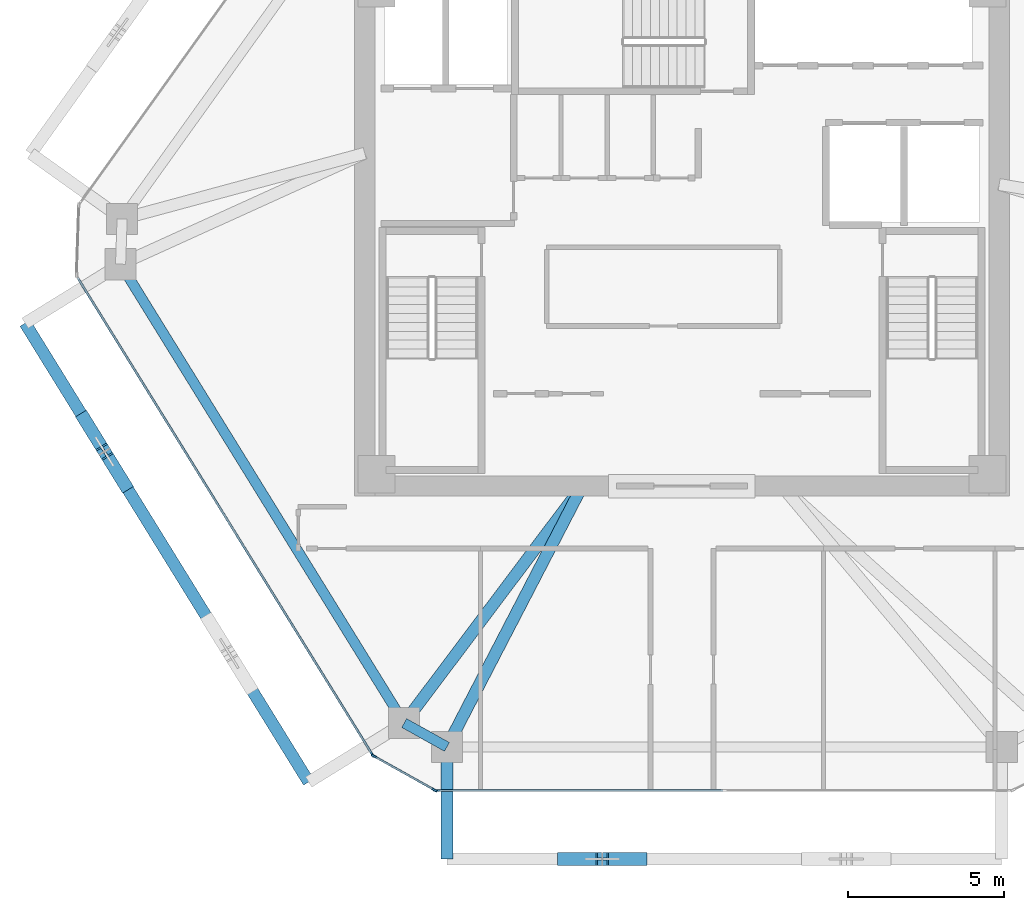
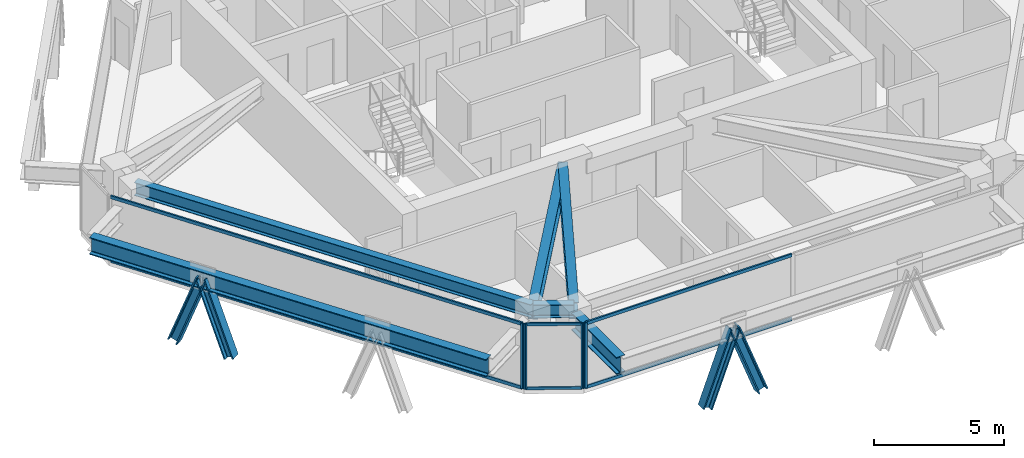
# One storey, part 2 of 14: 14 members, 6 beams, 3 elements without a shape of their own.
"""IFC4 building model written with IfcOpenShell, lengths in metres."""

from ifc_helpers import new_model, si_unit, direction, frame, origin, origin_2d, place, context, subcontext, project, spatial, rectangle, i_section, extrude, source, transform, mapped, material, layer, layer_set, material_profile, profile_set, type_object, type_shapes, element, aggregate, save


model = new_model("IFC4")

# Units and contexts
model_context = context("Model", 3, precision=1e-05, world=origin(), true_north=direction((0.0, 1.0)))
body_context = subcontext(model_context, "Body", "Model", "MODEL_VIEW")
ifc_project = project(units=[si_unit("LENGTHUNIT", "METRE"), si_unit("AREAUNIT", "SQUARE_METRE"), si_unit("VOLUMEUNIT", "CUBIC_METRE"), si_unit("PLANEANGLEUNIT", "RADIAN"), si_unit("MASSUNIT", "GRAM", prefix="KILO")], contexts=[model_context])

# Site, building, storey
site_placement = place(None, origin())
site = spatial("IfcSite", under=ifc_project, at=site_placement, CompositionType="ELEMENT")
building_placement = place(site_placement, origin())
building = spatial("IfcBuilding", under=site, at=building_placement, Name="Durnholm Broadcast Tower", CompositionType="ELEMENT")
storey_placement = place(building_placement, frame((0.0, 0.0, 180.39990234375)))
storey = spatial("IfcBuildingStorey", under=building, at=storey_placement, Name="L49", CompositionType="ELEMENT", Elevation=180.39990234375)

# Beams
ifc_material_1 = material(Name="Steel ASTM A992 Grade 50", Category="steel")
ifc_material_profile_1 = material_profile(ifc_material_1, i_section(OverallWidth=0.385009765625, OverallDepth=0.802978515625, WebThickness=0.023681640625, FlangeThickness=0.0419921875, FilletRadius=0.032958984375, at=origin_2d()), Name="W30X261")
ifc_profile_set_1 = profile_set([ifc_material_profile_1], Name="Steel ASTM A992 Grade 50")
beam_type_1 = type_object("IfcBeamType", Name="BM-EXO-TIE", PredefinedType="USERDEFINED", material=ifc_profile_set_1)
shared_shape_1 = source(origin(), body_context, "Body", "SweptSolid", [
    extrude(i_section(OverallWidth=0.385009765625, OverallDepth=0.802978515625, WebThickness=0.023681640625, FlangeThickness=0.0419921875, FilletRadius=0.032958984375, at=origin_2d()), origin(), (0.0, 0.0, 1.0), 3.4560546875),
])
beam_1_placement = place(storey_placement, frame((-7.53955078125, -16.68603515625, 2.30859375), z_axis=(0.0, -1.0, 0.0), x_axis=(1.0, 0.0, 0.0)))
element("IfcBeam", 1, at=beam_1_placement, inside=storey, type_object=beam_type_1, Name="L49 exoskeleton stand-off tie bracket F1.1", ObjectType="GIRDER", PredefinedType="USERDEFINED", context=body_context, shape_type="MappedRepresentation", body=[
    mapped(shared_shape_1, transform((0.0, 0.0, 0.0), x_axis=(1.0, 0.0, 0.0), y_axis=(0.0, 1.0, 0.0), z_axis=(0.0, 0.0, 1.0), scale=1.0)),
])
ifc_material_profile_2 = material_profile(ifc_material_1, i_section(OverallWidth=0.3251953125, OverallDepth=0.6162109375, WebThickness=0.013916015625, FlangeThickness=0.021484375, FilletRadius=0.02783203125, at=origin_2d()), Name="W24X117")
ifc_profile_set_2 = profile_set([ifc_material_profile_2], Name="Steel ASTM A992 Grade 50")
beam_type_2 = type_object("IfcBeamType", Name="STL-SP-W24X117", PredefinedType="SPANDREL", material=ifc_profile_set_2)
shared_shape_2 = source(origin(), body_context, "Body", "SweptSolid", [
    extrude(i_section(OverallWidth=0.3251953125, OverallDepth=0.6162109375, WebThickness=0.013916015625, FlangeThickness=0.021484375, FilletRadius=0.02783203125, at=origin_2d()), origin(), (0.0, 0.0, 1.0), 17.3037109375),
])
beam_2_placement = place(storey_placement, frame((-8.91259765625, -15.7763671875, 2.737060546875), z_axis=(-0.525695324718, 0.850672925142, 0.0), x_axis=(-0.850672925142, -0.525695324718, 0.0)))
element("IfcBeam", 2, at=beam_2_placement, inside=storey, type_object=beam_type_2, Name="L49 perimeter spandrel girder 01", PredefinedType="SPANDREL", context=body_context, shape_type="MappedRepresentation", body=[
    mapped(shared_shape_2, transform((0.0, 0.0, 0.0), x_axis=(1.0, 0.0, 0.0), y_axis=(0.0, 1.0, 0.0), z_axis=(0.0, 0.0, 1.0), scale=1.0)),
])
shared_shape_3 = source(origin(), body_context, "Body", "SweptSolid", [
    extrude(i_section(OverallWidth=0.3251953125, OverallDepth=0.6162109375, WebThickness=0.013916015625, FlangeThickness=0.021484375, FilletRadius=0.02783203125, at=origin_2d()), origin(), (0.0, 0.0, 1.0), 1.572021484375),
])
type_shapes(beam_type_2, [shared_shape_2, shared_shape_3])
beam_3_placement = place(storey_placement, frame((-7.53955078125, -16.5419921875, 2.737060546875), z_axis=(-0.873394362663, 0.487013641769, 0.0), x_axis=(-0.487013641769, -0.873394362663, 0.0)))
element("IfcBeam", 3, at=beam_3_placement, inside=storey, type_object=beam_type_2, Name="L49 perimeter spandrel girder 12", PredefinedType="SPANDREL", context=body_context, shape_type="MappedRepresentation", body=[
    mapped(shared_shape_3, transform((0.0, 0.0, 0.0), x_axis=(1.0, 0.0, 0.0), y_axis=(0.0, 1.0, 0.0), z_axis=(0.0, 0.0, 1.0), scale=1.0)),
])
shared_shape_4 = source(origin(), body_context, "Body", "SweptSolid", [
    extrude(i_section(OverallWidth=0.385009765625, OverallDepth=0.802978515625, WebThickness=0.023681640625, FlangeThickness=0.0419921875, FilletRadius=0.032958984375, at=origin_2d()), origin(), (0.0, 0.0, 1.0), 17.303466796875),
])
type_shapes(beam_type_1, [shared_shape_1, shared_shape_4])
beam_4_placement = place(storey_placement, frame((-21.071533203125, -2.94921875, 2.30859375), z_axis=(0.525701634347, -0.850669025911, 0.0), x_axis=(0.850669025911, 0.525701634347, 0.0)))
element("IfcBeam", 4, at=beam_4_placement, inside=storey, type_object=beam_type_1, Name="L49 exoskeleton collector spandrel F6", PredefinedType="SPANDREL", context=body_context, shape_type="MappedRepresentation", body=[
    mapped(shared_shape_4, transform((0.0, 0.0, 0.0), x_axis=(1.0, 0.0, 0.0), y_axis=(0.0, 1.0, 0.0), z_axis=(0.0, 0.0, 1.0), scale=1.0)),
])
ifc_material_profile_3 = material_profile(ifc_material_1, i_section(OverallWidth=0.380615234375, OverallDepth=0.773193359375, WebThickness=0.0166015625, FlangeThickness=0.027099609375, FilletRadius=0.032958984375, at=origin_2d()), Name="W30X173")
ifc_profile_set_3 = profile_set([ifc_material_profile_3], Name="Steel ASTM A992 Grade 50")
beam_type_3 = type_object("IfcBeamType", Name="STL-GR-W30X173", PredefinedType="USERDEFINED", material=ifc_profile_set_3)
shared_shape_5 = source(origin(), body_context, "Body", "SweptSolid", [
    extrude(i_section(OverallWidth=0.380615234375, OverallDepth=0.773193359375, WebThickness=0.0166015625, FlangeThickness=0.027099609375, FilletRadius=0.032958984375, at=origin_2d()), origin(), (0.0, 0.0, 1.0), 9.508544921875),
])
beam_5_placement = place(storey_placement, frame((-3.199951171875, -8.175048828125, 2.658447265625), z_axis=(-0.600784359039, -0.799411129479, 0.0), x_axis=(0.799411129479, -0.600784359039, 0.0)))
element("IfcBeam", 5, at=beam_5_placement, inside=storey, type_object=beam_type_3, Name="L49 radial primary floor girder 01", ObjectType="GIRDER", PredefinedType="USERDEFINED", context=body_context, shape_type="MappedRepresentation", body=[
    mapped(shared_shape_5, transform((0.0, 0.0, 0.0), x_axis=(1.0, 0.0, 0.0), y_axis=(0.0, 1.0, 0.0), z_axis=(0.0, 0.0, 1.0), scale=1.0)),
])
shared_shape_6 = source(origin(), body_context, "Body", "SweptSolid", [
    extrude(i_section(OverallWidth=0.380615234375, OverallDepth=0.773193359375, WebThickness=0.0166015625, FlangeThickness=0.027099609375, FilletRadius=0.032958984375, at=origin_2d()), origin(), (0.0, 0.0, 1.0), 9.42529296875),
])
type_shapes(beam_type_3, [shared_shape_5, shared_shape_6])
beam_6_placement = place(storey_placement, frame((-3.199951171875, -8.175048828125, 2.658447265625), z_axis=(-0.460416206992, -0.887703169048, 0.0), x_axis=(0.887703169048, -0.460416206992, 0.0)))
element("IfcBeam", 6, at=beam_6_placement, inside=storey, type_object=beam_type_3, Name="L49 radial primary floor girder 12", ObjectType="GIRDER", PredefinedType="USERDEFINED", context=body_context, shape_type="MappedRepresentation", body=[
    mapped(shared_shape_6, transform((0.0, 0.0, 0.0), x_axis=(1.0, 0.0, 0.0), y_axis=(0.0, 1.0, 0.0), z_axis=(0.0, 0.0, 1.0), scale=1.0)),
])

# Members
ifc_material_2 = material(Name="Steel ASTM A913 Grade 65", Category="steel")
ifc_material_profile_4 = material_profile(ifc_material_2, i_section(OverallWidth=0.412109375, OverallDepth=0.434814453125, WebThickness=0.035888671875, FlangeThickness=0.057373046875, FilletRadius=0.030517578125, at=origin_2d()), Name="W14X311")
ifc_profile_set_4 = profile_set([ifc_material_profile_4], Name="Steel ASTM A913 Grade 65")
member_type_1 = type_object("IfcMemberType", Name="STL-DG-W14X311", PredefinedType="BRACE", material=ifc_profile_set_4)
shared_shape_7 = source(origin(), body_context, "Body", "SweptSolid", [
    extrude(i_section(OverallWidth=0.412109375, OverallDepth=0.434814453125, WebThickness=0.035888671875, FlangeThickness=0.057373046875, FilletRadius=0.030517578125, at=origin_2d()), origin(), (0.0, 0.0, 1.0), 3.523193359375),
])
type_shapes(member_type_1, [shared_shape_7])
for number, where, z_axis, x_axis, name in (
    (7, (-3.790283203125, -20.14208984375, -0.991455078125), (0.350158790071, 0.0, 0.936690355313), (0.0, 1.0, 0.0), "L49 stand-off diagrid brace F1.D1.1"),
    (8, (-1.32275390625, -20.14208984375, -0.991455078125), (-0.350219588454, 0.0, 0.936667625075), (0.0, -1.0, 0.0), "L49 stand-off diagrid brace F1.D1.2"),
    (9, (-19.173095703125, -6.021240234375, -0.991455078125), (0.18411903749, -0.297902800967, 0.936671821509), (0.850644447398, 0.525741404219, 0.0), "L49 stand-off diagrid brace F6.D1.1"),
    (10, (-17.8759765625, -8.120361328125, -0.991455078125), (-0.184052089489, 0.297906601172, 0.936683770188), (-0.850732935913, -0.525598203719, 0.0), "L49 stand-off diagrid brace F6.D1.2"),
):
    element("IfcMember", number, at=place(storey_placement, frame(where, z_axis=z_axis, x_axis=x_axis)), inside=storey, type_object=member_type_1, Name=name, PredefinedType="BRACE", context=body_context, shape_type="MappedRepresentation", body=[
        mapped(shared_shape_7, transform((0.0, 0.0, 0.0), x_axis=(1.0, 0.0, 0.0), y_axis=(0.0, 1.0, 0.0), z_axis=(0.0, 0.0, 1.0), scale=1.0)),
    ])

# Curtain wall, members
ifc_material_3 = material(Name="Aluminium and Solar Control IGU", Category="aluminium")
ifc_layer_1 = layer(ifc_material_3, 0.1650390625)
ifc_layer_set_1 = layer_set([ifc_layer_1], Name="Aluminium and Solar Control IGU")
curtain_wall_type_1 = type_object("IfcCurtainWallType", Name="CW-SYS-5", PredefinedType="NOTDEFINED", material=ifc_layer_set_1)
curtain_wall_1_placement = place(storey_placement, origin())
curtain_wall_1 = element("IfcCurtainWall", 11, at=curtain_wall_1_placement, inside=storey, type_object=curtain_wall_type_1, Name="L49 curtain wall CW-CORNER CW-L49-CRN-11", PredefinedType="NOTDEFINED")
ifc_material_4 = material(Name="Aluminium 6063-T6", Category="aluminium")
ifc_material_profile_5 = material_profile(ifc_material_4, rectangle(XDim=0.06494140625, YDim=0.1650390625, at=origin_2d()), Name="CWM65X165")
ifc_profile_set_5 = profile_set([ifc_material_profile_5], Name="Aluminium 6063-T6")
member_type_2 = type_object("IfcMemberType", Name="CW-SYS-5-MUL", PredefinedType="MULLION", material=ifc_profile_set_5)
shared_shape_8 = source(origin(), body_context, "Body", "SweptSolid", [
    extrude(rectangle(XDim=0.06494140625, YDim=0.1650390625, at=origin_2d()), origin(), (0.0, 0.0, 1.0), 3.06005859375),
])
type_shapes(member_type_2, [shared_shape_8])
member_1_placement = place(storey_placement, frame((-7.931884765625, -17.92626953125, 0.0), z_axis=(0.0, 0.0, 1.0), x_axis=(-0.486986043316, -0.873409751271, 0.0)))
member_1 = element("IfcMember", 12, at=member_1_placement, type_object=member_type_2, Name="CW-CORNER mullion 1", PredefinedType="MULLION", context=body_context, shape_type="MappedRepresentation", body=[
    mapped(shared_shape_8, transform((0.0, 0.0, 0.0), x_axis=(1.0, 0.0, 0.0), y_axis=(0.0, 1.0, 0.0), z_axis=(0.0, 0.0, 1.0), scale=1.0)),
])
member_2_placement = place(storey_placement, frame((-9.884033203125, -16.837646484375, 0.0), z_axis=(0.0, 0.0, 1.0), x_axis=(-0.486986043316, -0.873409751271, 0.0)))
member_2 = element("IfcMember", 13, at=member_2_placement, type_object=member_type_2, Name="CW-CORNER mullion 2", PredefinedType="MULLION", context=body_context, shape_type="MappedRepresentation", body=[
    mapped(shared_shape_8, transform((0.0, 0.0, 0.0), x_axis=(1.0, 0.0, 0.0), y_axis=(0.0, 1.0, 0.0), z_axis=(0.0, 0.0, 1.0), scale=1.0)),
])
ifc_material_profile_6 = material_profile(ifc_material_4, rectangle(XDim=0.06494140625, YDim=0.1298828125, at=origin_2d()), Name="CWT65X130")
ifc_profile_set_6 = profile_set([ifc_material_profile_6], Name="Aluminium 6063-T6")
member_type_3 = type_object("IfcMemberType", Name="CW-SYS-5-TRN", PredefinedType="USERDEFINED", material=ifc_profile_set_6)
shared_shape_9 = source(origin(), body_context, "Body", "SweptSolid", [
    extrude(rectangle(XDim=0.06494140625, YDim=0.1298828125, at=origin_2d()), origin(), (0.0, 0.0, 1.0), 2.169921875),
])
type_shapes(member_type_3, [shared_shape_9])
member_3_placement = place(storey_placement, frame((-7.960205078125, -17.910400390625, 0.03271484375), z_axis=(-0.873381360539, 0.487036958621, 0.0), x_axis=(-0.487036958621, -0.873381360539, 0.0)))
member_3 = element("IfcMember", 14, at=member_3_placement, type_object=member_type_3, Name="CW-CORNER transom 1.1", ObjectType="TRANSOM", PredefinedType="USERDEFINED", context=body_context, shape_type="MappedRepresentation", body=[
    mapped(shared_shape_9, transform((0.0, 0.0, 0.0), x_axis=(1.0, 0.0, 0.0), y_axis=(0.0, 1.0, 0.0), z_axis=(0.0, 0.0, 1.0), scale=1.0)),
])
member_4_placement = place(storey_placement, frame((-7.960205078125, -17.910400390625, 3.027587890625), z_axis=(-0.873381360539, 0.487036958621, 0.0), x_axis=(-0.487036958621, -0.873381360539, 0.0)))
member_4 = element("IfcMember", 15, at=member_4_placement, type_object=member_type_3, Name="CW-CORNER transom 1.2", ObjectType="TRANSOM", PredefinedType="USERDEFINED", context=body_context, shape_type="MappedRepresentation", body=[
    mapped(shared_shape_9, transform((0.0, 0.0, 0.0), x_axis=(1.0, 0.0, 0.0), y_axis=(0.0, 1.0, 0.0), z_axis=(0.0, 0.0, 1.0), scale=1.0)),
])
aggregate(curtain_wall_1, [member_1, member_2, member_3, member_4])

ifc_layer_2 = layer(ifc_material_3, 0.18994140625)
ifc_layer_set_2 = layer_set([ifc_layer_2], Name="Aluminium and Solar Control IGU")
curtain_wall_type_2 = type_object("IfcCurtainWallType", Name="CW-SYS-4", PredefinedType="NOTDEFINED", material=ifc_layer_set_2)
curtain_wall_2_placement = place(storey_placement, origin())
curtain_wall_2 = element("IfcCurtainWall", 16, at=curtain_wall_2_placement, inside=storey, type_object=curtain_wall_type_2, Name="L49 curtain wall CW-Z34-VIS CW-L49-F10", PredefinedType="NOTDEFINED")
ifc_material_profile_7 = material_profile(ifc_material_4, rectangle(XDim=0.070068359375, YDim=0.14990234375, at=origin_2d()), Name="CWT70X150")
ifc_profile_set_7 = profile_set([ifc_material_profile_7], Name="Aluminium 6063-T6")
member_type_4 = type_object("IfcMemberType", Name="CW-SYS-4-TRN", PredefinedType="USERDEFINED", material=ifc_profile_set_7)
shared_shape_10 = source(origin(), body_context, "Body", "SweptSolid", [
    extrude(rectangle(XDim=0.070068359375, YDim=0.14990234375, at=origin_2d()), origin(), (0.0, 0.0, 1.0), 9.14453125),
])
member_5_placement = place(storey_placement, frame((1.31103515625, -17.94189453125, 0.03515625), z_axis=(-1.0, 0.0, 0.0), x_axis=(0.0, -1.0, 0.0)))
member_5 = element("IfcMember", 17, at=member_5_placement, type_object=member_type_4, Name="CW-Z34-VIS transom 2.1", ObjectType="TRANSOM", PredefinedType="USERDEFINED", context=body_context, shape_type="MappedRepresentation", body=[
    mapped(shared_shape_10, transform((0.0, 0.0, 0.0), x_axis=(1.0, 0.0, 0.0), y_axis=(0.0, 1.0, 0.0), z_axis=(0.0, 0.0, 1.0), scale=1.0)),
])
member_6_placement = place(storey_placement, frame((1.31103515625, -17.94189453125, 3.025146484375), z_axis=(-1.0, 0.0, 0.0), x_axis=(0.0, -1.0, 0.0)))
member_6 = element("IfcMember", 18, at=member_6_placement, type_object=member_type_4, Name="CW-Z34-VIS transom 2.2", ObjectType="TRANSOM", PredefinedType="USERDEFINED", context=body_context, shape_type="MappedRepresentation", body=[
    mapped(shared_shape_10, transform((0.0, 0.0, 0.0), x_axis=(1.0, 0.0, 0.0), y_axis=(0.0, 1.0, 0.0), z_axis=(0.0, 0.0, 1.0), scale=1.0)),
])

curtain_wall_3_placement = place(storey_placement, origin())
curtain_wall_3 = element("IfcCurtainWall", 19, at=curtain_wall_3_placement, inside=storey, type_object=curtain_wall_type_2, Name="L49 curtain wall CW-Z34-VIS CW-L49-F12", PredefinedType="NOTDEFINED")
shared_shape_11 = source(origin(), body_context, "Body", "SweptSolid", [
    extrude(rectangle(XDim=0.070068359375, YDim=0.14990234375, at=origin_2d()), origin(), (0.0, 0.0, 1.0), 17.951171875),
])
type_shapes(member_type_4, [shared_shape_10, shared_shape_11])
member_7_placement = place(storey_placement, frame((-9.94921875, -16.762451171875, 0.03515625), z_axis=(-0.525693813807, 0.850673858847, 0.0), x_axis=(-0.850673858847, -0.525693813807, 0.0)))
member_7 = element("IfcMember", 20, at=member_7_placement, type_object=member_type_4, Name="CW-Z34-VIS transom 1.1", ObjectType="TRANSOM", PredefinedType="USERDEFINED", context=body_context, shape_type="MappedRepresentation", body=[
    mapped(shared_shape_11, transform((0.0, 0.0, 0.0), x_axis=(1.0, 0.0, 0.0), y_axis=(0.0, 1.0, 0.0), z_axis=(0.0, 0.0, 1.0), scale=1.0)),
])
member_8_placement = place(storey_placement, frame((-9.94921875, -16.762451171875, 3.025146484375), z_axis=(-0.525693813807, 0.850673858847, 0.0), x_axis=(-0.850673858847, -0.525693813807, 0.0)))
member_8 = element("IfcMember", 21, at=member_8_placement, type_object=member_type_4, Name="CW-Z34-VIS transom 1.2", ObjectType="TRANSOM", PredefinedType="USERDEFINED", context=body_context, shape_type="MappedRepresentation", body=[
    mapped(shared_shape_11, transform((0.0, 0.0, 0.0), x_axis=(1.0, 0.0, 0.0), y_axis=(0.0, 1.0, 0.0), z_axis=(0.0, 0.0, 1.0), scale=1.0)),
])

# Member
ifc_material_profile_8 = material_profile(ifc_material_4, rectangle(XDim=0.070068359375, YDim=0.18994140625, at=origin_2d()), Name="CWM70X190")
ifc_profile_set_8 = profile_set([ifc_material_profile_8], Name="Aluminium 6063-T6")
member_type_5 = type_object("IfcMemberType", Name="CW-SYS-4-MUL", PredefinedType="MULLION", material=ifc_profile_set_8)
shared_shape_12 = source(origin(), body_context, "Body", "SweptSolid", [
    extrude(rectangle(XDim=0.070068359375, YDim=0.18994140625, at=origin_2d()), origin(), (0.0, 0.0, 1.0), 3.06005859375),
])
type_shapes(member_type_5, [shared_shape_12])
member_9_placement = place(storey_placement, frame((-7.868408203125, -17.94189453125, 0.0), z_axis=(0.0, 0.0, 1.0), x_axis=(0.0, -1.0, 0.0)))
member_9 = element("IfcMember", 22, at=member_9_placement, type_object=member_type_5, Name="CW-Z34-VIS mullion 3", PredefinedType="MULLION", context=body_context, shape_type="MappedRepresentation", body=[
    mapped(shared_shape_12, transform((0.0, 0.0, 0.0), x_axis=(1.0, 0.0, 0.0), y_axis=(0.0, 1.0, 0.0), z_axis=(0.0, 0.0, 1.0), scale=1.0)),
])

aggregate(curtain_wall_2, [member_9, member_5, member_6])

member_10_placement = place(storey_placement, frame((-9.9306640625, -16.792236328125, 0.0), z_axis=(0.0, 0.0, 1.0), x_axis=(-0.850671426092, -0.525697750452, 0.0)))
member_10 = element("IfcMember", 23, at=member_10_placement, type_object=member_type_5, Name="CW-Z34-VIS mullion 1", PredefinedType="MULLION", context=body_context, shape_type="MappedRepresentation", body=[
    mapped(shared_shape_12, transform((0.0, 0.0, 0.0), x_axis=(1.0, 0.0, 0.0), y_axis=(0.0, 1.0, 0.0), z_axis=(0.0, 0.0, 1.0), scale=1.0)),
])

aggregate(curtain_wall_3, [member_10, member_7, member_8])

save(model, "model.ifc")
